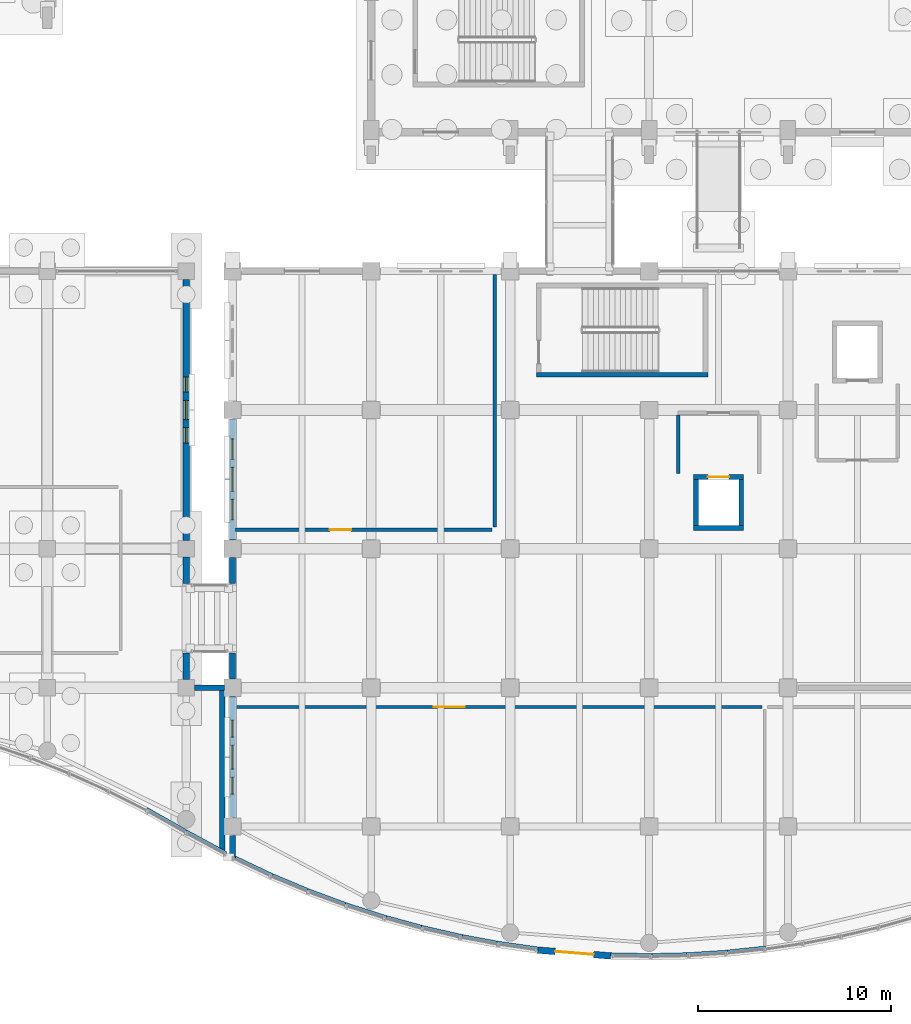
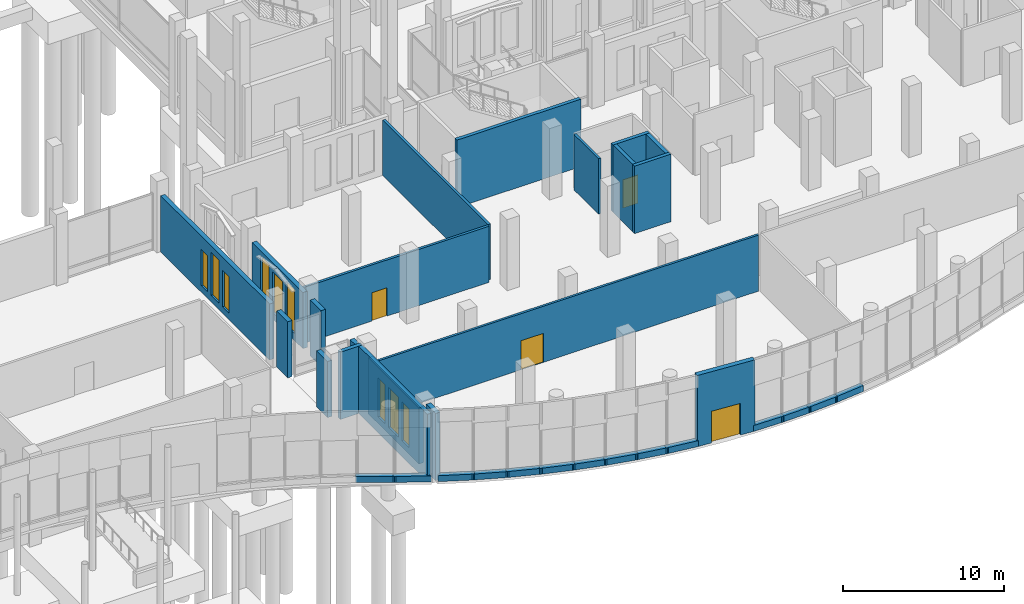
# One storey, part 138 of 192: 34 walls, 9 windows, 4 doors, 13 openings.
"""IFC4 building model written with IfcOpenShell, lengths in metres."""

from ifc_helpers import new_model, si_unit, direction, frame, frame_2d, origin, place, context, subcontext, project, spatial, rectangle, extrude, material, layer, layer_set, type_object, element, fill, save


model = new_model("IFC4")

# Units and contexts
model_context = context("Model", 3, precision=1e-05, world=origin(), true_north=direction((0.0, 1.0)))
body_context = subcontext(model_context, "Body", "Model", "MODEL_VIEW")
ifc_project = project(units=[si_unit("LENGTHUNIT", "METRE"), si_unit("AREAUNIT", "SQUARE_METRE"), si_unit("VOLUMEUNIT", "CUBIC_METRE"), si_unit("PLANEANGLEUNIT", "RADIAN"), si_unit("MASSUNIT", "GRAM", prefix="KILO")], contexts=[model_context])

# Site, building, storey
site_placement = place(None, origin())
site = spatial("IfcSite", under=ifc_project, at=site_placement, CompositionType="ELEMENT")
building_placement = place(site_placement, origin())
building = spatial("IfcBuilding", under=site, at=building_placement, Name="Cendralis Lancet Convention Centre", CompositionType="ELEMENT")
storey_placement = place(building_placement, origin())
storey = spatial("IfcBuildingStorey", under=building, at=storey_placement, Name="L00", CompositionType="ELEMENT", Elevation=0.0)

# Walls
ifc_material_1 = material(Name="Buff sandstone ashlar and Concrete G40 (C40/50)", Category="masonry")
ifc_layer_1 = layer(ifc_material_1, 0.280029296875, Name="Buff sandstone ashlar and Concrete G40 (C40/50)")
ifc_layer_set_1 = layer_set([ifc_layer_1], Name="Buff sandstone ashlar and Concrete G40 (C40/50)")
wall_type_1 = type_object("IfcWallType", Name="ARC-EW-W280", PredefinedType="STANDARD", material=ifc_layer_set_1)
wall_1_placement = place(storey_placement, frame((131.47998046875, 14.5400390625, 0.0), z_axis=(0.0, 0.0, 1.0), x_axis=(0.0, -1.0, 0.0)))
element("IfcWall", 1, at=wall_1_placement, inside=storey, type_object=wall_type_1, Name="L00 V4 Wave East End Wall", PredefinedType="STANDARD", context=body_context, shape_type="SweptSolid", body=[
    extrude(rectangle(XDim=8.797119140625, YDim=0.280029296875, at=frame_2d((4.3984375, 0.0))), origin(), (0.0, 0.0, 1.0), 5.10009765625),
])
wall_2_placement = place(storey_placement, frame((130.034912109375, 14.39990234375, 0.0), z_axis=(0.0, 0.0, 1.0), x_axis=(1.0, 0.0, 0.0)))
element("IfcWall", 2, at=wall_2_placement, inside=storey, type_object=wall_type_1, Name="L00 V4 Seismic Step Wall", PredefinedType="STANDARD", context=body_context, shape_type="SweptSolid", body=[
    extrude(rectangle(XDim=1.545166015625, YDim=0.280029296875, at=frame_2d((0.7724609375, 0.0))), origin(), (0.0, 0.0, 1.0), 5.10009765625),
])
ifc_layer_2 = layer(ifc_material_1, 0.320068359375, Name="Buff sandstone ashlar and Concrete G40 (C40/50)")
ifc_layer_set_2 = layer_set([ifc_layer_2], Name="Buff sandstone ashlar and Concrete G40 (C40/50)")
wall_type_2 = type_object("IfcWallType", Name="ARC-EW-W320", PredefinedType="STANDARD", material=ifc_layer_set_2)
for number, where, z_axis, x_axis, name in (
    (3, (129.60009765625, 21.1669921875, 0.0), (0.0, 0.0, 1.0), (0.0, -1.0, 0.0), "L00 V4 Exterior Wall EW-06 #0189"),
    (4, (129.60009765625, 16.199951171875, 0.0), (0.0, 0.0, 1.0), (0.0, -1.0, 0.0), "L00 V4 Exterior Wall EW-06 #0190"),
):
    element("IfcWall", number, at=place(storey_placement, frame(where, z_axis=z_axis, x_axis=x_axis)), inside=storey, type_object=wall_type_2, Name=name, PredefinedType="STANDARD", context=body_context, shape_type="SweptSolid", body=[
        extrude(rectangle(XDim=1.366943359375, YDim=0.320068359375, at=frame_2d((0.68359375, 0.0))), origin(), (0.0, 0.0, 1.0), 4.2548828125),
    ])

# Wall, openings, windows
wall_3_placement = place(storey_placement, frame((129.60009765625, 35.56689453125, 0.0), z_axis=(0.0, 0.0, 1.0), x_axis=(0.0, -1.0, 0.0)))
wall_3 = element("IfcWall", 5, at=wall_3_placement, inside=storey, type_object=wall_type_2, Name="L00 V4 Exterior Wall EW-06 #0191", PredefinedType="STANDARD", context=body_context, shape_type="SweptSolid", body=[
    extrude(rectangle(XDim=13.533935546875, YDim=0.320068359375, at=frame_2d((6.76708984375, 0.0))), origin(), (0.0, 0.0, 1.0), 4.2548828125),
])
opening_1_placement = place(wall_3_placement, frame((5.047119140625, 0.0, 0.5)))
opening_1 = element("IfcOpeningElement", 6, at=opening_1_placement, cuts=wall_3, Name="Opening WN-07", PredefinedType="OPENING", context=body_context, shape_type="SweptSolid", body=[
    extrude(rectangle(XDim=0.800048828125, YDim=2.75, at=frame_2d((0.39990234375, 1.375))), frame((0.0, 0.169921875, 0.0), z_axis=(0.0, -1.0, 0.0), x_axis=(1.0, 0.0, 0.0)), (0.0, 0.0, 1.0), 0.340087890625),
])
opening_2_placement = place(wall_3_placement, frame((6.26708984375, 0.0, 0.5)))
opening_2 = element("IfcOpeningElement", 7, at=opening_2_placement, cuts=wall_3, Name="Opening WN-10", PredefinedType="OPENING", context=body_context, shape_type="SweptSolid", body=[
    extrude(rectangle(XDim=1.0, YDim=3.25, at=frame_2d((0.5, 1.625))), frame((0.0, 0.169921875, 0.0), z_axis=(0.0, -1.0, 0.0), x_axis=(1.0, 0.0, 0.0)), (0.0, 0.0, 1.0), 0.340087890625),
])
opening_3_placement = place(wall_3_placement, frame((7.68701171875, 0.0, 0.5)))
opening_3 = element("IfcOpeningElement", 8, at=opening_3_placement, cuts=wall_3, Name="Opening WN-07", PredefinedType="OPENING", context=body_context, shape_type="SweptSolid", body=[
    extrude(rectangle(XDim=0.800048828125, YDim=2.75, at=frame_2d((0.39990234375, 1.375))), frame((0.0, 0.169921875, 0.0), z_axis=(0.0, -1.0, 0.0), x_axis=(1.0, 0.0, 0.0)), (0.0, 0.0, 1.0), 0.340087890625),
])
ifc_material_2 = material(Name="Double-glazed low-E solar-control glass", Category="glass")
window_type_1 = type_object("IfcWindowType", Name="ARC-WN-LW07", PartitioningType="SINGLE_PANEL", PredefinedType="WINDOW", material=ifc_material_2)
window_1_placement = place(opening_1_placement, origin())
window_1 = element("IfcWindow", 9, at=window_1_placement, inside=storey, type_object=window_type_1, Name="Gothic Lancet Window WN-07 #0367", OverallHeight=2.75, OverallWidth=0.800048828125, PartitioningType="SINGLE_PANEL", PredefinedType="WINDOW", context=body_context, shape_type="SweptSolid", body=[
    extrude(rectangle(XDim=0.800048828125, YDim=2.75, at=frame_2d((0.39990234375, 1.375))), frame((0.0, 0.030029296875, 0.0), z_axis=(0.0, -1.0, 0.0), x_axis=(1.0, 0.0, 0.0)), (0.0, 0.0, 1.0), 0.06005859375),
])
fill(opening_1, window_1)
window_2_placement = place(opening_3_placement, origin())
window_2 = element("IfcWindow", 10, at=window_2_placement, inside=storey, type_object=window_type_1, Name="Gothic Lancet Window WN-07 #0369", OverallHeight=2.75, OverallWidth=0.800048828125, PartitioningType="SINGLE_PANEL", PredefinedType="WINDOW", context=body_context, shape_type="SweptSolid", body=[
    extrude(rectangle(XDim=0.800048828125, YDim=2.75, at=frame_2d((0.39990234375, 1.375))), frame((0.0, 0.030029296875, 0.0), z_axis=(0.0, -1.0, 0.0), x_axis=(1.0, 0.0, 0.0)), (0.0, 0.0, 1.0), 0.06005859375),
])
fill(opening_3, window_2)
window_type_2 = type_object("IfcWindowType", Name="ARC-WN-LW10", PartitioningType="SINGLE_PANEL", PredefinedType="WINDOW", material=ifc_material_2)
window_3_placement = place(opening_2_placement, origin())
window_3 = element("IfcWindow", 11, at=window_3_placement, inside=storey, type_object=window_type_2, Name="Gothic Lancet Window WN-10 #0368", OverallHeight=3.25, OverallWidth=1.0, PartitioningType="SINGLE_PANEL", PredefinedType="WINDOW", context=body_context, shape_type="SweptSolid", body=[
    extrude(rectangle(XDim=1.0, YDim=3.25, at=frame_2d((0.5, 1.625))), frame((0.0, 0.030029296875, 0.0), z_axis=(0.0, -1.0, 0.0), x_axis=(1.0, 0.0, 0.0)), (0.0, 0.0, 1.0), 0.06005859375),
])
fill(opening_2, window_3)

# Wall
wall_4_placement = place(storey_placement, frame((132.0, 5.56005859375, 0.0), z_axis=(0.0, 0.0, 1.0), x_axis=(0.0, 1.0, 0.0)))
element("IfcWall", 12, at=wall_4_placement, inside=storey, type_object=wall_type_2, Name="L00 V5 Exterior Wall EW-06 #0258", PredefinedType="STANDARD", context=body_context, shape_type="SweptSolid", body=[
    extrude(rectangle(XDim=1.181884765625, YDim=0.320068359375, at=frame_2d((0.5908203125, 0.0))), origin(), (0.0, 0.0, 1.0), 5.10009765625),
])

# Wall, openings, windows
wall_5_placement = place(storey_placement, frame((132.0, 7.657958984375, 0.0), z_axis=(0.0, 0.0, 1.0), x_axis=(0.0, 1.0, 0.0)))
wall_5 = element("IfcWall", 13, at=wall_5_placement, inside=storey, type_object=wall_type_2, Name="L00 V5 Exterior Wall EW-06 #0259", PredefinedType="STANDARD", context=body_context, shape_type="SweptSolid", body=[
    extrude(rectangle(XDim=6.283935546875, YDim=0.320068359375, at=frame_2d((3.14208984375, 0.0))), origin(), (0.0, 0.0, 1.0), 4.2548828125),
])
opening_4_placement = place(wall_5_placement, frame((1.221923828125, 0.0, 0.5)))
opening_4 = element("IfcOpeningElement", 14, at=opening_4_placement, cuts=wall_5, Name="Opening WN-08", PredefinedType="OPENING", context=body_context, shape_type="SweptSolid", body=[
    extrude(rectangle(XDim=0.8798828125, YDim=2.949951171875, at=frame_2d((0.43994140625, 1.47509765625))), frame((0.0, 0.169921875, 0.0), z_axis=(0.0, -1.0, 0.0), x_axis=(1.0, 0.0, 0.0)), (0.0, 0.0, 1.0), 0.340087890625),
])
opening_5_placement = place(wall_5_placement, frame((2.52197265625, 0.0, 0.5)))
opening_5 = element("IfcOpeningElement", 15, at=opening_5_placement, cuts=wall_5, Name="Opening WN-16", PredefinedType="OPENING", context=body_context, shape_type="SweptSolid", body=[
    extrude(rectangle(XDim=1.239990234375, YDim=3.050048828125, at=frame_2d((0.6201171875, 1.52490234375))), frame((0.0, 0.169921875, 0.0), z_axis=(0.0, -1.0, 0.0), x_axis=(1.0, 0.0, 0.0)), (0.0, 0.0, 1.0), 0.340087890625),
])
opening_6_placement = place(wall_5_placement, frame((4.181884765625, 0.0, 0.5)))
opening_6 = element("IfcOpeningElement", 16, at=opening_6_placement, cuts=wall_5, Name="Opening WN-08", PredefinedType="OPENING", context=body_context, shape_type="SweptSolid", body=[
    extrude(rectangle(XDim=0.8798828125, YDim=2.949951171875, at=frame_2d((0.43994140625, 1.47509765625))), frame((0.0, 0.169921875, 0.0), z_axis=(0.0, -1.0, 0.0), x_axis=(1.0, 0.0, 0.0)), (0.0, 0.0, 1.0), 0.340087890625),
])
window_type_3 = type_object("IfcWindowType", Name="ARC-WN-LW08", PartitioningType="SINGLE_PANEL", PredefinedType="WINDOW", material=ifc_material_2)
window_4_placement = place(opening_4_placement, origin())
window_4 = element("IfcWindow", 17, at=window_4_placement, inside=storey, type_object=window_type_3, Name="Gothic Lancet Window WN-08 #0493", OverallHeight=2.949951171875, OverallWidth=0.8798828125, PartitioningType="SINGLE_PANEL", PredefinedType="WINDOW", context=body_context, shape_type="SweptSolid", body=[
    extrude(rectangle(XDim=0.8798828125, YDim=2.949951171875, at=frame_2d((0.43994140625, 1.47509765625))), frame((0.0, 0.030029296875, 0.0), z_axis=(0.0, -1.0, 0.0), x_axis=(1.0, 0.0, 0.0)), (0.0, 0.0, 1.0), 0.06005859375),
])
fill(opening_4, window_4)
window_5_placement = place(opening_6_placement, origin())
window_5 = element("IfcWindow", 18, at=window_5_placement, inside=storey, type_object=window_type_3, Name="Gothic Lancet Window WN-08 #0495", OverallHeight=2.949951171875, OverallWidth=0.8798828125, PartitioningType="SINGLE_PANEL", PredefinedType="WINDOW", context=body_context, shape_type="SweptSolid", body=[
    extrude(rectangle(XDim=0.8798828125, YDim=2.949951171875, at=frame_2d((0.43994140625, 1.47509765625))), frame((0.0, 0.030029296875, 0.0), z_axis=(0.0, -1.0, 0.0), x_axis=(1.0, 0.0, 0.0)), (0.0, 0.0, 1.0), 0.06005859375),
])
fill(opening_6, window_5)
window_type_4 = type_object("IfcWindowType", Name="ARC-WN-LW16", PartitioningType="SINGLE_PANEL", PredefinedType="WINDOW", material=ifc_material_2)
window_6_placement = place(opening_5_placement, origin())
window_6 = element("IfcWindow", 19, at=window_6_placement, inside=storey, type_object=window_type_4, Name="Gothic Lancet Window WN-16 #0494", OverallHeight=3.050048828125, OverallWidth=1.239990234375, PartitioningType="SINGLE_PANEL", PredefinedType="WINDOW", context=body_context, shape_type="SweptSolid", body=[
    extrude(rectangle(XDim=1.239990234375, YDim=3.050048828125, at=frame_2d((0.6201171875, 1.52490234375))), frame((0.0, 0.030029296875, 0.0), z_axis=(0.0, -1.0, 0.0), x_axis=(1.0, 0.0, 0.0)), (0.0, 0.0, 1.0), 0.06005859375),
])
fill(opening_5, window_6)

# Walls
for number, where, z_axis, x_axis, name in (
    (20, (132.0, 14.85791015625, 0.0), (0.0, 0.0, 1.0), (0.0, 1.0, 0.0), "L00 V5 Exterior Wall EW-06 #0260"),
    (21, (132.0, 19.800048828125, 0.0), (0.0, 0.0, 1.0), (0.0, 1.0, 0.0), "L00 V5 Exterior Wall EW-06 #0261"),
):
    element("IfcWall", number, at=place(storey_placement, frame(where, z_axis=z_axis, x_axis=x_axis)), inside=storey, type_object=wall_type_2, Name=name, PredefinedType="STANDARD", context=body_context, shape_type="SweptSolid", body=[
        extrude(rectangle(XDim=1.342041015625, YDim=0.320068359375, at=frame_2d((0.6708984375, 0.0))), origin(), (0.0, 0.0, 1.0), 4.2548828125),
    ])

# Wall, openings, windows
wall_6_placement = place(storey_placement, frame((132.0, 22.05810546875, 0.0), z_axis=(0.0, 0.0, 1.0), x_axis=(0.0, 1.0, 0.0)))
wall_6 = element("IfcWall", 22, at=wall_6_placement, inside=storey, type_object=wall_type_2, Name="L00 V5 Exterior Wall EW-06 #0262", PredefinedType="STANDARD", context=body_context, shape_type="SweptSolid", body=[
    extrude(rectangle(XDim=6.283935546875, YDim=0.320068359375, at=frame_2d((3.14208984375, 0.0))), origin(), (0.0, 0.0, 1.0), 4.2548828125),
])
opening_7_placement = place(wall_6_placement, frame((1.0419921875, 0.0, 0.5)))
opening_7 = element("IfcOpeningElement", 23, at=opening_7_placement, cuts=wall_6, Name="Opening WN-11", PredefinedType="OPENING", context=body_context, shape_type="SweptSolid", body=[
    extrude(rectangle(XDim=1.06005859375, YDim=3.35009765625, at=frame_2d((0.530029296875, 1.675048828125))), frame((0.0, 0.169921875, 0.0), z_axis=(0.0, -1.0, 0.0), x_axis=(1.0, 0.0, 0.0)), (0.0, 0.0, 1.0), 0.340087890625),
])
opening_8_placement = place(wall_6_placement, frame((2.52197265625, 0.0, 0.5)))
opening_8 = element("IfcOpeningElement", 24, at=opening_8_placement, cuts=wall_6, Name="Opening WN-16", PredefinedType="OPENING", context=body_context, shape_type="SweptSolid", body=[
    extrude(rectangle(XDim=1.239990234375, YDim=3.050048828125, at=frame_2d((0.6201171875, 1.52490234375))), frame((0.0, 0.169921875, 0.0), z_axis=(0.0, -1.0, 0.0), x_axis=(1.0, 0.0, 0.0)), (0.0, 0.0, 1.0), 0.340087890625),
])
opening_9_placement = place(wall_6_placement, frame((4.181884765625, 0.0, 0.5)))
opening_9 = element("IfcOpeningElement", 25, at=opening_9_placement, cuts=wall_6, Name="Opening WN-11", PredefinedType="OPENING", context=body_context, shape_type="SweptSolid", body=[
    extrude(rectangle(XDim=1.06005859375, YDim=3.35009765625, at=frame_2d((0.530029296875, 1.675048828125))), frame((0.0, 0.169921875, 0.0), z_axis=(0.0, -1.0, 0.0), x_axis=(1.0, 0.0, 0.0)), (0.0, 0.0, 1.0), 0.340087890625),
])
window_type_5 = type_object("IfcWindowType", Name="ARC-WN-LW11", PartitioningType="SINGLE_PANEL", PredefinedType="WINDOW", material=ifc_material_2)
window_7_placement = place(opening_7_placement, origin())
window_7 = element("IfcWindow", 26, at=window_7_placement, inside=storey, type_object=window_type_5, Name="Gothic Lancet Window WN-11 #0496", OverallHeight=3.35009765625, OverallWidth=1.06005859375, PartitioningType="SINGLE_PANEL", PredefinedType="WINDOW", context=body_context, shape_type="SweptSolid", body=[
    extrude(rectangle(XDim=1.06005859375, YDim=3.35009765625, at=frame_2d((0.530029296875, 1.675048828125))), frame((0.0, 0.030029296875, 0.0), z_axis=(0.0, -1.0, 0.0), x_axis=(1.0, 0.0, 0.0)), (0.0, 0.0, 1.0), 0.06005859375),
])
fill(opening_7, window_7)
window_8_placement = place(opening_9_placement, origin())
window_8 = element("IfcWindow", 27, at=window_8_placement, inside=storey, type_object=window_type_5, Name="Gothic Lancet Window WN-11 #0498", OverallHeight=3.35009765625, OverallWidth=1.06005859375, PartitioningType="SINGLE_PANEL", PredefinedType="WINDOW", context=body_context, shape_type="SweptSolid", body=[
    extrude(rectangle(XDim=1.06005859375, YDim=3.35009765625, at=frame_2d((0.530029296875, 1.675048828125))), frame((0.0, 0.030029296875, 0.0), z_axis=(0.0, -1.0, 0.0), x_axis=(1.0, 0.0, 0.0)), (0.0, 0.0, 1.0), 0.06005859375),
])
fill(opening_9, window_8)
window_9_placement = place(opening_8_placement, origin())
window_9 = element("IfcWindow", 28, at=window_9_placement, inside=storey, type_object=window_type_4, Name="Gothic Lancet Window WN-16 #0497", OverallHeight=3.050048828125, OverallWidth=1.239990234375, PartitioningType="SINGLE_PANEL", PredefinedType="WINDOW", context=body_context, shape_type="SweptSolid", body=[
    extrude(rectangle(XDim=1.239990234375, YDim=3.050048828125, at=frame_2d((0.6201171875, 1.52490234375))), frame((0.0, 0.030029296875, 0.0), z_axis=(0.0, -1.0, 0.0), x_axis=(1.0, 0.0, 0.0)), (0.0, 0.0, 1.0), 0.06005859375),
])
fill(opening_8, window_9)

# Walls
ifc_layer_3 = layer(ifc_material_1, 0.340087890625, Name="Buff sandstone ashlar and Concrete G40 (C40/50)")
ifc_layer_set_3 = layer_set([ifc_layer_3], Name="Buff sandstone ashlar and Concrete G40 (C40/50)")
wall_type_3 = type_object("IfcWallType", Name="ARC-EW-W340", PredefinedType="STANDARD", material=ifc_layer_set_3)
wall_7_placement = place(storey_placement, frame((127.51611328125, 8.037109375, 0.0), z_axis=(0.0, 0.0, 1.0), x_axis=(0.869365001854, -0.494170510605, 0.0)))
element("IfcWall", 29, at=wall_7_placement, inside=storey, type_object=wall_type_3, Name="South Wave Stone Plinth WP-064-WP-065", PredefinedType="STANDARD", context=body_context, shape_type="SweptSolid", body=[
    extrude(rectangle(XDim=2.499267578125, YDim=0.340087890625, at=frame_2d((1.24951171875, 0.0))), origin(), (0.0, 0.0, 1.0), 0.449951171875),
])
wall_8_placement = place(storey_placement, frame((129.540283203125, 6.884521484375, 0.0), z_axis=(0.0, 0.0, 1.0), x_axis=(0.878535047762, -0.477677893411, 0.0)))
element("IfcWall", 30, at=wall_8_placement, inside=storey, type_object=wall_type_3, Name="South Wave Stone Plinth WP-065-WP-066", PredefinedType="STANDARD", context=body_context, shape_type="SweptSolid", body=[
    extrude(rectangle(XDim=2.389892578125, YDim=0.340087890625, at=frame_2d((1.19482421875, 0.0))), origin(), (0.0, 0.0, 1.0), 0.449951171875),
])
wall_9_placement = place(storey_placement, frame((132.0, 5.56005859375, 0.0), z_axis=(0.0, 0.0, 1.0), x_axis=(0.903507193963, -0.428572923151, 0.0)))
element("IfcWall", 31, at=wall_9_placement, inside=storey, type_object=wall_type_3, Name="South Wave Stone Plinth WP-067-WP-068", PredefinedType="STANDARD", context=body_context, shape_type="SweptSolid", body=[
    extrude(rectangle(XDim=2.264404296875, YDim=0.340087890625, at=frame_2d((1.13232421875, 0.0))), origin(), (0.0, 0.0, 1.0), 0.449951171875),
])
wall_10_placement = place(storey_placement, frame((133.890625, 4.658935546875, 0.0), z_axis=(0.0, 0.0, 1.0), x_axis=(0.921828570825, -0.387597840564, 0.0)))
element("IfcWall", 32, at=wall_10_placement, inside=storey, type_object=wall_type_3, Name="South Wave Stone Plinth WP-068-WP-069", PredefinedType="STANDARD", context=body_context, shape_type="SweptSolid", body=[
    extrude(rectangle(XDim=2.305908203125, YDim=0.340087890625, at=frame_2d((1.15283203125, 0.0))), origin(), (0.0, 0.0, 1.0), 0.449951171875),
])
wall_11_placement = place(storey_placement, frame((135.8583984375, 3.827392578125, 0.0), z_axis=(0.0, 0.0, 1.0), x_axis=(0.93814646978, -0.346238647813, 0.0)))
element("IfcWall", 33, at=wall_11_placement, inside=storey, type_object=wall_type_3, Name="South Wave Stone Plinth WP-069-WP-070", PredefinedType="STANDARD", context=body_context, shape_type="SweptSolid", body=[
    extrude(rectangle(XDim=2.269775390625, YDim=0.340087890625, at=frame_2d((1.134765625, 0.0))), origin(), (0.0, 0.0, 1.0), 0.449951171875),
])
wall_12_placement = place(storey_placement, frame((137.8271484375, 3.096923828125, 0.0), z_axis=(0.0, 0.0, 1.0), x_axis=(0.952169210283, -0.305571260083, 0.0)))
element("IfcWall", 34, at=wall_12_placement, inside=storey, type_object=wall_type_3, Name="South Wave Stone Plinth WP-070-WP-071", PredefinedType="STANDARD", context=body_context, shape_type="SweptSolid", body=[
    extrude(rectangle(XDim=2.23779296875, YDim=0.340087890625, at=frame_2d((1.118896484375, 0.0))), origin(), (0.0, 0.0, 1.0), 0.449951171875),
])
wall_13_placement = place(storey_placement, frame((139.794921875, 2.46142578125, 0.0), z_axis=(0.0, 0.0, 1.0), x_axis=(0.964393520916, -0.264471429108, 0.0)))
element("IfcWall", 35, at=wall_13_placement, inside=storey, type_object=wall_type_3, Name="South Wave Stone Plinth WP-071-WP-072", PredefinedType="STANDARD", context=body_context, shape_type="SweptSolid", body=[
    extrude(rectangle(XDim=2.2119140625, YDim=0.340087890625, at=frame_2d((1.10595703125, 0.0))), origin(), (0.0, 0.0, 1.0), 0.449951171875),
])
wall_14_placement = place(storey_placement, frame((141.76318359375, 1.91796875, 0.0), z_axis=(0.0, 0.0, 1.0), x_axis=(0.974752541238, -0.223287893424, 0.0)))
element("IfcWall", 36, at=wall_14_placement, inside=storey, type_object=wall_type_3, Name="South Wave Stone Plinth WP-072-WP-073", PredefinedType="STANDARD", context=body_context, shape_type="SweptSolid", body=[
    extrude(rectangle(XDim=2.18994140625, YDim=0.340087890625, at=frame_2d((1.094970703125, 0.0))), origin(), (0.0, 0.0, 1.0), 0.449951171875),
])
wall_15_placement = place(storey_placement, frame((143.7314453125, 1.46337890625, 0.0), z_axis=(0.0, 0.0, 1.0), x_axis=(0.983183551004, -0.182620111256, 0.0)))
element("IfcWall", 37, at=wall_15_placement, inside=storey, type_object=wall_type_3, Name="South Wave Stone Plinth WP-073-WP-074", PredefinedType="STANDARD", context=body_context, shape_type="SweptSolid", body=[
    extrude(rectangle(XDim=2.173828125, YDim=0.340087890625, at=frame_2d((1.0869140625, 0.0))), origin(), (0.0, 0.0, 1.0), 0.449951171875),
])
wall_16_placement = place(storey_placement, frame((145.700927734375, 1.093994140625, 0.0), z_axis=(0.0, 0.0, 1.0), x_axis=(0.989974357752, -0.141247198176, 0.0)))
element("IfcWall", 38, at=wall_16_placement, inside=storey, type_object=wall_type_3, Name="South Wave Stone Plinth WP-074-WP-075", PredefinedType="STANDARD", context=body_context, shape_type="SweptSolid", body=[
    extrude(rectangle(XDim=2.158935546875, YDim=0.340087890625, at=frame_2d((1.07958984375, 0.0))), origin(), (0.0, 0.0, 1.0), 0.449951171875),
])

# Wall, opening, door
wall_17_placement = place(storey_placement, frame((147.75390625, 0.801025390625, 0.0), z_axis=(0.0, 0.0, 1.0), x_axis=(0.996817243224, -0.079720659873, 0.0)))
wall_17 = element("IfcWall", 39, at=wall_17_placement, inside=storey, type_object=wall_type_3, Name="Boulevard Wave Entrance Portal Wall WP-075-WP-077", PredefinedType="STANDARD", context=body_context, shape_type="SweptSolid", body=[
    extrude(rectangle(XDim=3.95068359375, YDim=0.340087890625, at=frame_2d((1.975341796875, 0.0))), origin(), (0.0, 0.0, 1.0), 5.39990234375),
])
opening_10_placement = place(wall_17_placement, frame((0.975341796875, 0.0, 0.0)))
opening_10 = element("IfcOpeningElement", 40, at=opening_10_placement, cuts=wall_17, Name="Opening EX-D2", PredefinedType="OPENING", context=body_context, shape_type="SweptSolid", body=[
    extrude(rectangle(XDim=2.0, YDim=2.39990234375, at=frame_2d((1.0, 1.199951171875))), frame((0.0, 0.179931640625, 0.0), z_axis=(0.0, -1.0, 0.0), x_axis=(1.0, 0.0, 0.0)), (0.0, 0.0, 1.0), 0.360107421875),
])
ifc_material_3 = material(Name="Anodised bronze architectural aluminium", Category="aluminium")
door_type_1 = type_object("IfcDoorType", Name="ARC-DR-EX20", OperationType="NOTDEFINED", PredefinedType="DOOR", material=ifc_material_3)
door_1_placement = place(opening_10_placement, frame((2.0, 0.0, 0.0), z_axis=(0.0, 0.0, 1.0), x_axis=(-1.0, 0.0, 0.0)))
door_1 = element("IfcDoor", 41, at=door_1_placement, inside=storey, type_object=door_type_1, Name="L00-D006 Pedestrian Final Exit Door EX-06 #006", OperationType="DOUBLE_DOOR_SINGLE_SWING", OverallHeight=2.39990234375, OverallWidth=2.0, PredefinedType="DOOR", context=body_context, shape_type="SweptSolid", body=[
    extrude(rectangle(XDim=2.0, YDim=2.39990234375, at=frame_2d((1.0, 1.199951171875))), frame((0.0, 0.02490234375, 0.0), z_axis=(0.0, -1.0, 0.0), x_axis=(1.0, 0.0, 0.0)), (0.0, 0.0, 1.0), 0.050048828125),
])
fill(opening_10, door_1)

# Walls
wall_18_placement = place(storey_placement, frame((151.60693359375, 0.487548828125, 0.0), z_axis=(0.0, 0.0, 1.0), x_axis=(0.999833467677, -0.018249298977, 0.0)))
element("IfcWall", 42, at=wall_18_placement, inside=storey, type_object=wall_type_3, Name="South Wave Stone Plinth WP-077-WP-078", PredefinedType="STANDARD", context=body_context, shape_type="SweptSolid", body=[
    extrude(rectangle(XDim=2.140380859375, YDim=0.340087890625, at=frame_2d((1.0703125, 0.0))), origin(), (0.0, 0.0, 1.0), 0.449951171875),
])
wall_19_placement = place(storey_placement, frame((153.576904296875, 0.447998046875, 0.0), z_axis=(0.0, 0.0, 1.0), x_axis=(0.999739592294, 0.022819894825, 0.0)))
element("IfcWall", 43, at=wall_19_placement, inside=storey, type_object=wall_type_3, Name="South Wave Stone Plinth WP-078-WP-079", PredefinedType="STANDARD", context=body_context, shape_type="SweptSolid", body=[
    extrude(rectangle(XDim=2.1396484375, YDim=0.340087890625, at=frame_2d((1.06982421875, 0.0))), origin(), (0.0, 0.0, 1.0), 0.449951171875),
])
wall_20_placement = place(storey_placement, frame((155.546142578125, 0.489501953125, 0.0), z_axis=(0.0, 0.0, 1.0), x_axis=(0.997955655169, 0.063910173807, 0.0)))
element("IfcWall", 44, at=wall_20_placement, inside=storey, type_object=wall_type_3, Name="South Wave Stone Plinth WP-079-WP-080", PredefinedType="STANDARD", context=body_context, shape_type="SweptSolid", body=[
    extrude(rectangle(XDim=2.14306640625, YDim=0.340087890625, at=frame_2d((1.071533203125, 0.0))), origin(), (0.0, 0.0, 1.0), 0.449951171875),
])
wall_21_placement = place(storey_placement, frame((157.515380859375, 0.612060546875, 0.0), z_axis=(0.0, 0.0, 1.0), x_axis=(0.994468682543, 0.105033515797, 0.0)))
element("IfcWall", 45, at=wall_21_placement, inside=storey, type_object=wall_type_3, Name="South Wave Stone Plinth WP-080-WP-081", PredefinedType="STANDARD", context=body_context, shape_type="SweptSolid", body=[
    extrude(rectangle(XDim=2.150146484375, YDim=0.340087890625, at=frame_2d((1.0751953125, 0.0))), origin(), (0.0, 0.0, 1.0), 0.449951171875),
])

# Wall, opening, door
ifc_material_4 = material(Name="Acoustic fire-rated gypsum board on steel studs", Category="steel")
ifc_layer_4 = layer(ifc_material_4, 0.159912109375, Name="Acoustic fire-rated gypsum board on steel studs")
ifc_layer_set_4 = layer_set([ifc_layer_4], Name="Acoustic fire-rated gypsum board on steel studs")
wall_type_4 = type_object("IfcWallType", Name="ARC-IW-P160", PredefinedType="PARTITIONING", material=ifc_layer_set_4)
wall_22_placement = place(storey_placement, frame((132.169921875, 13.39990234375, 0.0), z_axis=(0.0, 0.0, 1.0), x_axis=(1.0, 0.0, 0.0)))
wall_22 = element("IfcWall", 46, at=wall_22_placement, inside=storey, type_object=wall_type_4, Name="L00 Interior Partition IW-03 #0351", PredefinedType="PARTITIONING", context=body_context, shape_type="SweptSolid", body=[
    extrude(rectangle(XDim=27.2900390625, YDim=0.159912109375, at=frame_2d((13.64501953125, 0.0))), origin(), (0.0, 0.0, 1.0), 4.2548828125),
])
opening_11_placement = place(wall_22_placement, frame((10.27587890625, 0.0, 0.0)))
opening_11 = element("IfcOpeningElement", 47, at=opening_11_placement, cuts=wall_22, Name="Opening ID-16", PredefinedType="OPENING", context=body_context, shape_type="SweptSolid", body=[
    extrude(rectangle(XDim=1.60009765625, YDim=2.199951171875, at=frame_2d((0.800048828125, 1.10009765625))), frame((0.0, 0.08984375, 0.0), z_axis=(0.0, -1.0, 0.0), x_axis=(1.0, 0.0, 0.0)), (0.0, 0.0, 1.0), 0.179931640625),
])
ifc_material_5 = material(Name="Acoustic Chilean lenga timber and steel fire leaf", Category="steel")
door_type_2 = type_object("IfcDoorType", Name="ARC-DR-DB16", OperationType="NOTDEFINED", PredefinedType="DOOR", material=ifc_material_5)
door_2_placement = place(opening_11_placement, origin())
door_2 = element("IfcDoor", 48, at=door_2_placement, inside=storey, type_object=door_type_2, Name="L00-D084 L00 Interior Door ID-16 #0118", OperationType="DOUBLE_DOOR_SINGLE_SWING", OverallHeight=2.199951171875, OverallWidth=1.60009765625, PredefinedType="DOOR", context=body_context, shape_type="SweptSolid", body=[
    extrude(rectangle(XDim=1.60009765625, YDim=2.199951171875, at=frame_2d((0.800048828125, 1.10009765625))), frame((0.0, 0.02490234375, 0.0), z_axis=(0.0, -1.0, 0.0), x_axis=(1.0, 0.0, 0.0)), (0.0, 0.0, 1.0), 0.050048828125),
])
fill(opening_11, door_2)

# Wall
ifc_layer_5 = layer(ifc_material_4, 0.179931640625, Name="Acoustic fire-rated gypsum board on steel studs")
ifc_layer_set_5 = layer_set([ifc_layer_5], Name="Acoustic fire-rated gypsum board on steel studs")
wall_type_5 = type_object("IfcWallType", Name="ARC-IW-P180", PredefinedType="PARTITIONING", material=ifc_layer_set_5)
wall_23_placement = place(storey_placement, frame((155.10009765625, 25.5, 0.0), z_axis=(0.0, 0.0, 1.0), x_axis=(0.0, 1.0, 0.0)))
element("IfcWall", 49, at=wall_23_placement, inside=storey, type_object=wall_type_5, Name="L00 Lift Lobby LP-01 West Wall", PredefinedType="PARTITIONING", context=body_context, shape_type="SweptSolid", body=[
    extrude(rectangle(XDim=3.050048828125, YDim=0.179931640625, at=frame_2d((1.52490234375, 0.0))), origin(), (0.0, 0.0, 1.0), 4.205078125),
])

# Wall, opening, door
wall_24_placement = place(storey_placement, frame((132.169921875, 22.60009765625, 0.0), z_axis=(0.0, 0.0, 1.0), x_axis=(1.0, 0.0, 0.0)))
wall_24 = element("IfcWall", 50, at=wall_24_placement, inside=storey, type_object=wall_type_5, Name="L00 Interior Partition IW-02 #0355", PredefinedType="PARTITIONING", context=body_context, shape_type="SweptSolid", body=[
    extrude(rectangle(XDim=13.2900390625, YDim=0.179931640625, at=frame_2d((6.64501953125, 0.0))), origin(), (0.0, 0.0, 1.0), 4.2548828125),
])
opening_12_placement = place(wall_24_placement, frame((4.8759765625, 0.0, 0.0)))
opening_12 = element("IfcOpeningElement", 51, at=opening_12_placement, cuts=wall_24, Name="Opening FD-11", PredefinedType="OPENING", context=body_context, shape_type="SweptSolid", body=[
    extrude(rectangle(XDim=1.10009765625, YDim=2.14990234375, at=frame_2d((0.550048828125, 1.074951171875))), frame((0.0, 0.099853515625, 0.0), z_axis=(0.0, -1.0, 0.0), x_axis=(1.0, 0.0, 0.0)), (0.0, 0.0, 1.0), 0.199951171875),
])
ifc_material_6 = material(Name="Steel S355", Category="steel")
door_type_3 = type_object("IfcDoorType", Name="ARC-DR-FF11", OperationType="NOTDEFINED", PredefinedType="DOOR", material=ifc_material_6)
door_3_placement = place(opening_12_placement, origin())
door_3 = element("IfcDoor", 52, at=door_3_placement, inside=storey, type_object=door_type_3, Name="L00-D086 L00 Interior Door FD-11 #0120", OperationType="SINGLE_SWING_RIGHT", OverallHeight=2.14990234375, OverallWidth=1.10009765625, PredefinedType="DOOR", context=body_context, shape_type="SweptSolid", body=[
    extrude(rectangle(XDim=1.10009765625, YDim=2.14990234375, at=frame_2d((0.550048828125, 1.074951171875))), frame((0.0, 0.02490234375, 0.0), z_axis=(0.0, -1.0, 0.0), x_axis=(1.0, 0.0, 0.0)), (0.0, 0.0, 1.0), 0.050048828125),
])
fill(opening_12, door_3)

# Walls
wall_25_placement = place(storey_placement, frame((145.60009765625, 22.739990234375, 0.0), z_axis=(0.0, 0.0, 1.0), x_axis=(0.0, 1.0, 0.0)))
element("IfcWall", 53, at=wall_25_placement, inside=storey, type_object=wall_type_5, Name="L00 Interior Partition IW-02 #0356", PredefinedType="PARTITIONING", context=body_context, shape_type="SweptSolid", body=[
    extrude(rectangle(XDim=13.090087890625, YDim=0.179931640625, at=frame_2d((6.544921875, 0.0))), origin(), (0.0, 0.0, 1.0), 4.205078125),
])
ifc_material_7 = material(Name="Concrete G40 (C40/50)", Category="concrete")
ifc_layer_6 = layer(ifc_material_7, 0.25, Name="Concrete G40 (C40/50)")
ifc_layer_set_6 = layer_set([ifc_layer_6], Name="Concrete G40 (C40/50)")
wall_type_6 = type_object("IfcWallType", Name="STR-SW-CW250", PredefinedType="SHEAR", material=ifc_layer_set_6)
wall_26_placement = place(storey_placement, frame((147.75, 30.625, 0.0), z_axis=(0.0, 0.0, 1.0), x_axis=(1.0, 0.0, 0.0)))
element("IfcWall", 54, at=wall_26_placement, inside=storey, type_object=wall_type_6, Name="L00 Stair Core ST-13 South Shear Wall", PredefinedType="SHEAR", context=body_context, shape_type="SweptSolid", body=[
    extrude(rectangle(XDim=8.89990234375, YDim=0.25, at=frame_2d((4.449951171875, 0.0))), origin(), (0.0, 0.0, 1.0), 5.1201171875),
])
wall_27_placement = place(storey_placement, frame((155.89990234375, 22.675048828125, 0.0), z_axis=(0.0, 0.0, 1.0), x_axis=(1.0, 0.0, 0.0)))
element("IfcWall", 55, at=wall_27_placement, inside=storey, type_object=wall_type_6, Name="L00 Lift LP-01 South Shaft Wall", PredefinedType="SHEAR", context=body_context, shape_type="SweptSolid", body=[
    extrude(rectangle(XDim=2.60009765625, YDim=0.25, at=frame_2d((1.300048828125, 0.0))), origin(), (0.0, 0.0, 1.0), 5.1201171875),
])

# Wall, opening, door
wall_28_placement = place(storey_placement, frame((155.89990234375, 25.324951171875, 0.0), z_axis=(0.0, 0.0, 1.0), x_axis=(1.0, 0.0, 0.0)))
wall_28 = element("IfcWall", 56, at=wall_28_placement, inside=storey, type_object=wall_type_6, Name="L00 Lift LP-01 North Shaft Wall", PredefinedType="SHEAR", context=body_context, shape_type="SweptSolid", body=[
    extrude(rectangle(XDim=2.60009765625, YDim=0.25, at=frame_2d((1.300048828125, 0.0))), origin(), (0.0, 0.0, 1.0), 5.1201171875),
])
opening_13_placement = place(wall_28_placement, frame((0.75, 0.0, 0.0)))
opening_13 = element("IfcOpeningElement", 57, at=opening_13_placement, cuts=wall_28, Name="Opening LD-11", PredefinedType="OPENING", context=body_context, shape_type="SweptSolid", body=[
    extrude(rectangle(XDim=1.10009765625, YDim=2.14990234375, at=frame_2d((0.550048828125, 1.074951171875))), frame((0.0, 0.135009765625, 0.0), z_axis=(0.0, -1.0, 0.0), x_axis=(1.0, 0.0, 0.0)), (0.0, 0.0, 1.0), 0.27001953125),
])
door_type_4 = type_object("IfcDoorType", Name="ARC-DR-LD11", OperationType="NOTDEFINED", PredefinedType="DOOR", material=ifc_material_3)
door_4_placement = place(opening_13_placement, origin())
door_4 = element("IfcDoor", 58, at=door_4_placement, inside=storey, type_object=door_type_4, Name="L00-D096 L00 Lift LP-01 Sliding Landing Door", OperationType="SLIDING_TO_LEFT", OverallHeight=2.14990234375, OverallWidth=1.10009765625, PredefinedType="DOOR", context=body_context, shape_type="SweptSolid", body=[
    extrude(rectangle(XDim=1.10009765625, YDim=2.14990234375, at=frame_2d((0.550048828125, 1.074951171875))), frame((0.0, 0.02490234375, 0.0), z_axis=(0.0, -1.0, 0.0), x_axis=(1.0, 0.0, 0.0)), (0.0, 0.0, 1.0), 0.050048828125),
])
fill(opening_13, door_4)

# Walls
for number, where, z_axis, x_axis, name in (
    (59, (156.02490234375, 22.800048828125, 0.0), (0.0, 0.0, 1.0), (0.0, 1.0, 0.0), "L00 Lift LP-01 West Shaft Wall"),
    (60, (158.375, 22.800048828125, 0.0), (0.0, 0.0, 1.0), (0.0, 1.0, 0.0), "L00 Lift LP-01 East Shaft Wall"),
):
    element("IfcWall", number, at=place(storey_placement, frame(where, z_axis=z_axis, x_axis=x_axis)), inside=storey, type_object=wall_type_6, Name=name, PredefinedType="SHEAR", context=body_context, shape_type="SweptSolid", body=[
        extrude(rectangle(XDim=2.39990234375, YDim=0.25, at=frame_2d((1.199951171875, 0.0))), origin(), (0.0, 0.0, 1.0), 5.1201171875),
    ])

save(model, "model.ifc")
